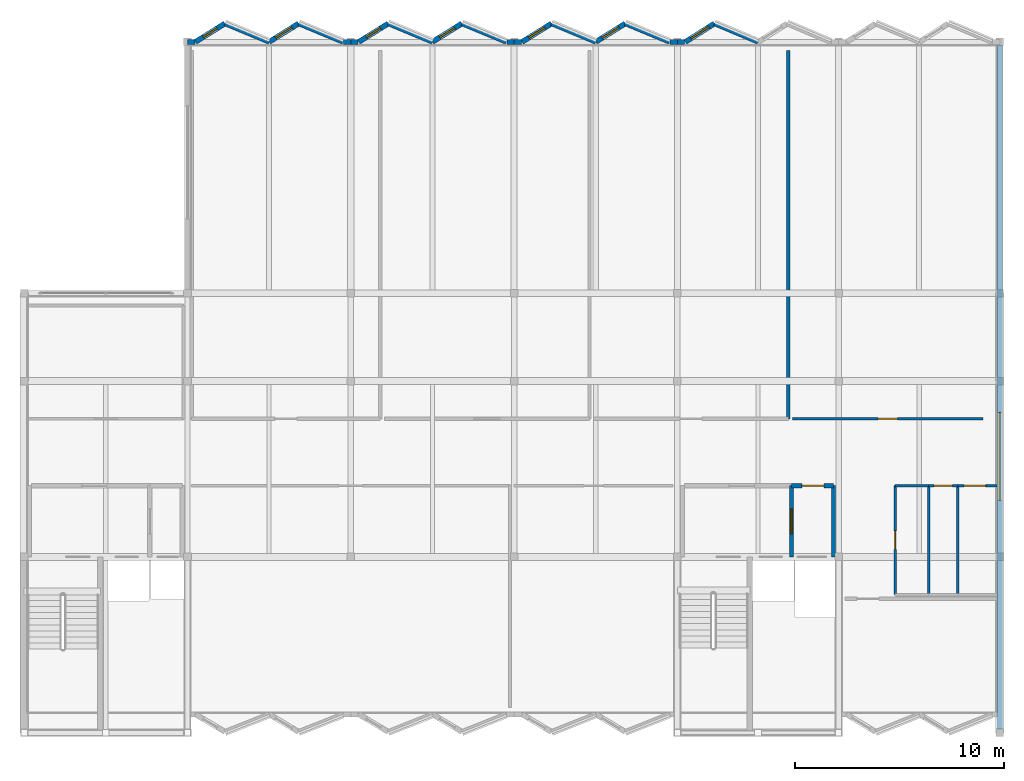
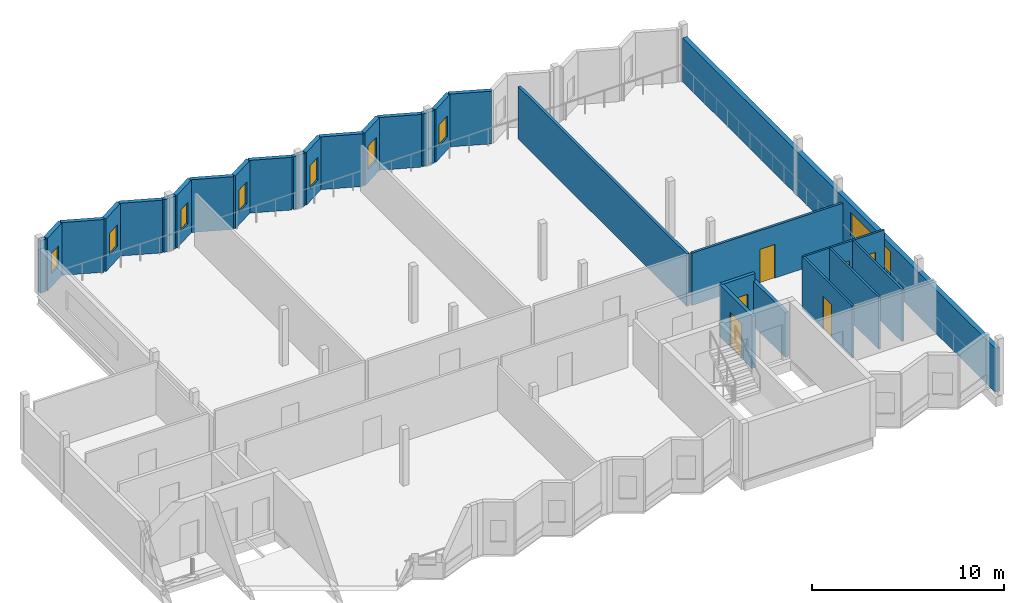
# One storey, part 6 of 11: 33 walls, 8 windows, 6 doors, 14 openings.
"""IFC4 building model written with IfcOpenShell, lengths in metres."""

from ifc_helpers import new_model, si_unit, direction, frame, frame_2d, origin, place, context, subcontext, project, spatial, rectangle, extrude, material, layer, layer_set, type_object, element, fill, save


model = new_model("IFC4")

# Units and contexts
model_context = context("Model", 3, precision=1e-05, world=origin(), true_north=direction((0.0, 1.0)))
body_context = subcontext(model_context, "Body", "Model", "MODEL_VIEW")
ifc_project = project(units=[si_unit("LENGTHUNIT", "METRE"), si_unit("AREAUNIT", "SQUARE_METRE"), si_unit("VOLUMEUNIT", "CUBIC_METRE"), si_unit("PLANEANGLEUNIT", "RADIAN"), si_unit("MASSUNIT", "GRAM", prefix="KILO")], contexts=[model_context])

# Site, building, storey
site_placement = place(None, origin())
site = spatial("IfcSite", under=ifc_project, at=site_placement, CompositionType="ELEMENT")
building_placement = place(site_placement, origin())
building = spatial("IfcBuilding", under=site, at=building_placement, Name="Vharandega Faculty of Natural Sciences", CompositionType="ELEMENT")
storey_placement = place(building_placement, frame((0.0, 0.0, 39.60009765625)))
storey = spatial("IfcBuildingStorey", under=building, at=storey_placement, Name="L10", CompositionType="ELEMENT", Elevation=39.60009765625)

# Wall, opening, door
ifc_material_1 = material(Name="Concrete C40/50", Category="concrete")
ifc_layer_1 = layer(ifc_material_1, 0.199951171875, Name="Concrete C40/50")
ifc_layer_set_1 = layer_set([ifc_layer_1], Name="Concrete C40/50")
wall_type_1 = type_object("IfcWallType", Name="Firefighting Lobby Wall 200", PredefinedType="PARTITIONING", material=ifc_layer_set_1)
wall_1_placement = place(storey_placement, frame((151.449951171875, 72.39990234375, 0.0), z_axis=(0.0, 0.0, 1.0), x_axis=(0.0, 1.0, 0.0)))
wall_1 = element("IfcWall", 1, at=wall_1_placement, inside=storey, type_object=wall_type_1, Name="Interior Wall PW-FFL-C2-L10-E", PredefinedType="PARTITIONING", context=body_context, shape_type="SweptSolid", body=[
    extrude(rectangle(XDim=3.400146484375, YDim=0.199951171875, at=frame_2d((1.7001953125, 0.0))), origin(), (0.0, 0.0, 1.0), 3.31982421875),
])
opening_1_placement = place(wall_1_placement, frame((1.10009765625, 0.0, 0.0)))
opening_1 = element("IfcOpeningElement", 2, at=opening_1_placement, cuts=wall_1, Name="Opening FD2", PredefinedType="OPENING", context=body_context, shape_type="SweptSolid", body=[
    extrude(rectangle(XDim=1.199951171875, YDim=2.199951171875, at=frame_2d((0.60009765625, 1.10009765625))), frame((0.0, 0.10986328125, 0.0), z_axis=(0.0, -1.0, 0.0), x_axis=(1.0, 0.0, 0.0)), (0.0, 0.0, 1.0), 0.219970703125),
])
ifc_material_2 = material(Name="Solid-core hardwood timber fire door", Category="wood")
door_type_1 = type_object("IfcDoorType", Name="FD2-FFLOBBY-1200x2200", OperationType="NOTDEFINED", PredefinedType="DOOR", material=ifc_material_2)
door_1_placement = place(opening_1_placement, origin())
door_1 = element("IfcDoor", 3, at=door_1_placement, inside=storey, type_object=door_type_1, Name="Lobby Interconnect C2 Door FD2", OperationType="SINGLE_SWING_LEFT", OverallHeight=2.199951171875, OverallWidth=1.199951171875, PredefinedType="DOOR", context=body_context, shape_type="SweptSolid", body=[
    extrude(rectangle(XDim=1.199951171875, YDim=2.199951171875, at=frame_2d((0.60009765625, 1.10009765625))), frame((0.0, 0.02490234375, 0.0), z_axis=(0.0, -1.0, 0.0), x_axis=(1.0, 0.0, 0.0)), (0.0, 0.0, 1.0), 0.050048828125),
])
fill(opening_1, door_1)

wall_2_placement = place(storey_placement, frame((151.449951171875, 75.800048828125, 0.0), z_axis=(0.0, 0.0, 1.0), x_axis=(1.0, 0.0, 0.0)))
wall_2 = element("IfcWall", 4, at=wall_2_placement, inside=storey, type_object=wall_type_1, Name="Interior Wall PW-LL-C2-L10-N", PredefinedType="PARTITIONING", context=body_context, shape_type="SweptSolid", body=[
    extrude(rectangle(XDim=2.0, YDim=0.199951171875, at=frame_2d((1.0, 0.0))), origin(), (0.0, 0.0, 1.0), 3.31982421875),
])
opening_2_placement = place(wall_2_placement, frame((0.5, 0.0, 0.0)))
opening_2 = element("IfcOpeningElement", 5, at=opening_2_placement, cuts=wall_2, Name="Opening FD4", PredefinedType="OPENING", context=body_context, shape_type="SweptSolid", body=[
    extrude(rectangle(XDim=1.050048828125, YDim=2.14990234375, at=frame_2d((0.52490234375, 1.074951171875))), frame((0.0, 0.10986328125, 0.0), z_axis=(0.0, -1.0, 0.0), x_axis=(1.0, 0.0, 0.0)), (0.0, 0.0, 1.0), 0.219970703125),
])
ifc_material_3 = material(Name="Solid-core hardwood timber fire door", Category="wood")
door_type_2 = type_object("IfcDoorType", Name="FD4-LAB-SGL-1050x2150", OperationType="NOTDEFINED", PredefinedType="DOOR", material=ifc_material_3)
door_2_placement = place(opening_2_placement, origin())
door_2 = element("IfcDoor", 6, at=door_2_placement, inside=storey, type_object=door_type_2, Name="Lift Lobby C2 Door FD4", OperationType="SINGLE_SWING_RIGHT", OverallHeight=2.14990234375, OverallWidth=1.050048828125, PredefinedType="DOOR", context=body_context, shape_type="SweptSolid", body=[
    extrude(rectangle(XDim=1.050048828125, YDim=2.14990234375, at=frame_2d((0.52490234375, 1.074951171875))), frame((0.0, 0.02490234375, 0.0), z_axis=(0.0, -1.0, 0.0), x_axis=(1.0, 0.0, 0.0)), (0.0, 0.0, 1.0), 0.050048828125),
])
fill(opening_2, door_2)

# Walls
wall_3_placement = place(storey_placement, frame((153.449951171875, 72.39990234375, 0.0), z_axis=(0.0, 0.0, 1.0), x_axis=(0.0, 1.0, 0.0)))
element("IfcWall", 7, at=wall_3_placement, inside=storey, type_object=wall_type_1, Name="Interior Wall PW-LL-C2-L10-E", PredefinedType="PARTITIONING", context=body_context, shape_type="SweptSolid", body=[
    extrude(rectangle(XDim=3.400146484375, YDim=0.199951171875, at=frame_2d((1.7001953125, 0.0))), origin(), (0.0, 0.0, 1.0), 2.869873046875),
])
ifc_material_4 = material(Name="Gypsum fire-board on steel stud", Category="steel")
ifc_layer_2 = layer(ifc_material_4, 0.159912109375, Name="Gypsum fire-board on steel stud")
ifc_layer_set_2 = layer_set([ifc_layer_2], Name="Gypsum fire-board on steel stud")
wall_type_2 = type_object("IfcWallType", Name="Laboratory Fire Corridor Wall 160", PredefinedType="PARTITIONING", material=ifc_layer_set_2)
wall_4_placement = place(storey_placement, frame((151.300048828125, 79.0, 0.0), z_axis=(0.0, 0.0, 1.0), x_axis=(0.0, 1.0, 0.0)))
element("IfcWall", 8, at=wall_4_placement, inside=storey, type_object=wall_type_2, Name="Interior Wall PW-L10-R10E", PredefinedType="PARTITIONING", context=body_context, shape_type="SweptSolid", body=[
    extrude(rectangle(XDim=17.60009765625, YDim=0.159912109375, at=frame_2d((8.800048828125, 0.0))), origin(), (0.0, 0.0, 1.0), 3.33984375),
])

# Wall, opening, door
ifc_material_5 = material(Name="Gypsum acoustic partition", Category="gypsum")
ifc_layer_3 = layer(ifc_material_5, 0.139892578125, Name="Gypsum acoustic partition")
ifc_layer_set_3 = layer_set([ifc_layer_3], Name="Gypsum acoustic partition")
wall_type_3 = type_object("IfcWallType", Name="Room Partition Wall 140", PredefinedType="PARTITIONING", material=ifc_layer_set_3)
wall_5_placement = place(storey_placement, frame((151.5, 79.0, 0.0), z_axis=(0.0, 0.0, 1.0), x_axis=(1.0, 0.0, 0.0)))
wall_5 = element("IfcWall", 9, at=wall_5_placement, inside=storey, type_object=wall_type_3, Name="Interior Wall PW-L10-R11S", PredefinedType="PARTITIONING", context=body_context, shape_type="SweptSolid", body=[
    extrude(rectangle(XDim=9.10009765625, YDim=0.139892578125, at=frame_2d((4.550048828125, 0.0))), origin(), (0.0, 0.0, 1.0), 3.33984375),
])
opening_3_placement = place(wall_5_placement, frame((4.090087890625, 0.0, 0.0)))
opening_3 = element("IfcOpeningElement", 10, at=opening_3_placement, cuts=wall_5, Name="Opening D0382", PredefinedType="OPENING", context=body_context, shape_type="SweptSolid", body=[
    extrude(rectangle(XDim=0.919921875, YDim=2.14990234375, at=frame_2d((0.4599609375, 1.074951171875))), frame((0.0, 0.080078125, 0.0), z_axis=(0.0, -1.0, 0.0), x_axis=(1.0, 0.0, 0.0)), (0.0, 0.0, 1.0), 0.159912109375),
])
ifc_material_6 = material(Name="Solid-core hardwood timber fire door", Category="wood")
door_type_3 = type_object("IfcDoorType", Name="ID05-OFFICE-0920x2150", OperationType="NOTDEFINED", PredefinedType="DOOR", material=ifc_material_6)
door_3_placement = place(opening_3_placement, origin())
door_3 = element("IfcDoor", 11, at=door_3_placement, inside=storey, type_object=door_type_3, Name="Academic Staff Office Suite 10A Door D0382", OperationType="SINGLE_SWING_LEFT", OverallHeight=2.14990234375, OverallWidth=0.919921875, PredefinedType="DOOR", context=body_context, shape_type="SweptSolid", body=[
    extrude(rectangle(XDim=0.919921875, YDim=2.14990234375, at=frame_2d((0.4599609375, 1.074951171875))), frame((0.0, 0.02490234375, 0.0), z_axis=(0.0, -1.0, 0.0), x_axis=(1.0, 0.0, 0.0)), (0.0, 0.0, 1.0), 0.050048828125),
])
fill(opening_3, door_3)

# Wall
ifc_material_7 = material(Name="Moisture-resistant gypsum partition", Category="gypsum")
ifc_layer_4 = layer(ifc_material_7, 0.1201171875, Name="Moisture-resistant gypsum partition")
ifc_layer_set_4 = layer_set([ifc_layer_4], Name="Moisture-resistant gypsum partition")
wall_type_4 = type_object("IfcWallType", Name="Sanitary Wet Wall 120", PredefinedType="PARTITIONING", material=ifc_layer_set_4)
wall_6_placement = place(storey_placement, frame((156.39990234375, 75.800048828125, 0.0), z_axis=(0.0, 0.0, 1.0), x_axis=(1.0, 0.0, 0.0)))
element("IfcWall", 12, at=wall_6_placement, inside=storey, type_object=wall_type_4, Name="Interior Wall PW-L10-R04N", PredefinedType="PARTITIONING", context=body_context, shape_type="SweptSolid", body=[
    extrude(rectangle(XDim=1.60009765625, YDim=0.1201171875, at=frame_2d((0.800048828125, 0.0))), origin(), (0.0, 0.0, 1.0), 3.33984375),
])

# Wall, opening, door
wall_7_placement = place(storey_placement, frame((156.39990234375, 70.60009765625, 0.0), z_axis=(0.0, 0.0, 1.0), x_axis=(0.0, 1.0, 0.0)))
wall_7 = element("IfcWall", 13, at=wall_7_placement, inside=storey, type_object=wall_type_4, Name="Interior Wall PW-L10-R04W", PredefinedType="PARTITIONING", context=body_context, shape_type="SweptSolid", body=[
    extrude(rectangle(XDim=5.199951171875, YDim=0.1201171875, at=frame_2d((2.60009765625, 0.0))), origin(), (0.0, 0.0, 1.0), 3.33984375),
])
opening_4_placement = place(wall_7_placement, frame((2.159912109375, 0.0, 0.0)))
opening_4 = element("IfcOpeningElement", 14, at=opening_4_placement, cuts=wall_7, Name="Opening D0375", PredefinedType="OPENING", context=body_context, shape_type="SweptSolid", body=[
    extrude(rectangle(XDim=0.8798828125, YDim=2.10009765625, at=frame_2d((0.43994140625, 1.050048828125))), frame((0.0, 0.070068359375, 0.0), z_axis=(0.0, -1.0, 0.0), x_axis=(1.0, 0.0, 0.0)), (0.0, 0.0, 1.0), 0.14013671875),
])
ifc_material_8 = material(Name="Solid-core hardwood timber fire door", Category="wood")
door_type_4 = type_object("IfcDoorType", Name="ID06-WC-0880x2100", OperationType="NOTDEFINED", PredefinedType="DOOR", material=ifc_material_8)
door_4_placement = place(opening_4_placement, origin())
door_4 = element("IfcDoor", 15, at=door_4_placement, inside=storey, type_object=door_type_4, Name="L10 Male Washroom Door D0375", OperationType="SINGLE_SWING_RIGHT", OverallHeight=2.10009765625, OverallWidth=0.8798828125, PredefinedType="DOOR", context=body_context, shape_type="SweptSolid", body=[
    extrude(rectangle(XDim=0.8798828125, YDim=2.10009765625, at=frame_2d((0.43994140625, 1.050048828125))), frame((0.0, 0.02490234375, 0.0), z_axis=(0.0, -1.0, 0.0), x_axis=(1.0, 0.0, 0.0)), (0.0, 0.0, 1.0), 0.050048828125),
])
fill(opening_4, door_4)

# Wall
wall_8_placement = place(storey_placement, frame((158.0, 70.60009765625, 0.0), z_axis=(0.0, 0.0, 1.0), x_axis=(0.0, 1.0, 0.0)))
element("IfcWall", 16, at=wall_8_placement, inside=storey, type_object=wall_type_4, Name="Interior Wall PW-L10-R04E", PredefinedType="PARTITIONING", context=body_context, shape_type="SweptSolid", body=[
    extrude(rectangle(XDim=5.199951171875, YDim=0.1201171875, at=frame_2d((2.60009765625, 0.0))), origin(), (0.0, 0.0, 1.0), 3.33984375),
])

# Wall, opening, door
wall_9_placement = place(storey_placement, frame((158.0, 75.800048828125, 0.0), z_axis=(0.0, 0.0, 1.0), x_axis=(1.0, 0.0, 0.0)))
wall_9 = element("IfcWall", 17, at=wall_9_placement, inside=storey, type_object=wall_type_4, Name="Interior Wall PW-L10-R05N", PredefinedType="PARTITIONING", context=body_context, shape_type="SweptSolid", body=[
    extrude(rectangle(XDim=1.39990234375, YDim=0.1201171875, at=frame_2d((0.699951171875, 0.0))), origin(), (0.0, 0.0, 1.0), 3.33984375),
])
opening_5_placement = place(wall_9_placement, frame((0.260009765625, 0.0, 0.0)))
opening_5 = element("IfcOpeningElement", 18, at=opening_5_placement, cuts=wall_9, Name="Opening D0376", PredefinedType="OPENING", context=body_context, shape_type="SweptSolid", body=[
    extrude(rectangle(XDim=0.8798828125, YDim=2.10009765625, at=frame_2d((0.43994140625, 1.050048828125))), frame((0.0, 0.070068359375, 0.0), z_axis=(0.0, -1.0, 0.0), x_axis=(1.0, 0.0, 0.0)), (0.0, 0.0, 1.0), 0.14013671875),
])
door_5_placement = place(opening_5_placement, origin())
door_5 = element("IfcDoor", 19, at=door_5_placement, inside=storey, type_object=door_type_4, Name="L10 Female Washroom Door D0376", OperationType="SINGLE_SWING_LEFT", OverallHeight=2.10009765625, OverallWidth=0.8798828125, PredefinedType="DOOR", context=body_context, shape_type="SweptSolid", body=[
    extrude(rectangle(XDim=0.8798828125, YDim=2.10009765625, at=frame_2d((0.43994140625, 1.050048828125))), frame((0.0, 0.02490234375, 0.0), z_axis=(0.0, -1.0, 0.0), x_axis=(1.0, 0.0, 0.0)), (0.0, 0.0, 1.0), 0.050048828125),
])
fill(opening_5, door_5)

# Wall
wall_10_placement = place(storey_placement, frame((159.39990234375, 70.60009765625, 0.0), z_axis=(0.0, 0.0, 1.0), x_axis=(0.0, 1.0, 0.0)))
element("IfcWall", 20, at=wall_10_placement, inside=storey, type_object=wall_type_4, Name="Interior Wall PW-L10-R05E", PredefinedType="PARTITIONING", context=body_context, shape_type="SweptSolid", body=[
    extrude(rectangle(XDim=5.199951171875, YDim=0.1201171875, at=frame_2d((2.60009765625, 0.0))), origin(), (0.0, 0.0, 1.0), 3.33984375),
])

# Wall, opening, door
wall_11_placement = place(storey_placement, frame((159.39990234375, 75.800048828125, 0.0), z_axis=(0.0, 0.0, 1.0), x_axis=(1.0, 0.0, 0.0)))
wall_11 = element("IfcWall", 21, at=wall_11_placement, inside=storey, type_object=wall_type_4, Name="Interior Wall PW-L10-R06N", PredefinedType="PARTITIONING", context=body_context, shape_type="SweptSolid", body=[
    extrude(rectangle(XDim=1.860107421875, YDim=0.1201171875, at=frame_2d((0.93017578125, 0.0))), origin(), (0.0, 0.0, 1.0), 3.33984375),
])
opening_6_placement = place(wall_11_placement, frame((0.300048828125, 0.0, 0.0)))
opening_6 = element("IfcOpeningElement", 22, at=opening_6_placement, cuts=wall_11, Name="Opening D0377", PredefinedType="OPENING", context=body_context, shape_type="SweptSolid", body=[
    extrude(rectangle(XDim=1.02001953125, YDim=2.10009765625, at=frame_2d((0.510009765625, 1.050048828125))), frame((0.0, 0.070068359375, 0.0), z_axis=(0.0, -1.0, 0.0), x_axis=(1.0, 0.0, 0.0)), (0.0, 0.0, 1.0), 0.14013671875),
])
ifc_material_9 = material(Name="Solid-core hardwood timber fire door", Category="wood")
door_type_5 = type_object("IfcDoorType", Name="ID07-ACCWC-1020x2100", OperationType="NOTDEFINED", PredefinedType="DOOR", material=ifc_material_9)
door_6_placement = place(opening_6_placement, origin())
door_6 = element("IfcDoor", 23, at=door_6_placement, inside=storey, type_object=door_type_5, Name="L10 Accessible WC Door D0377", OperationType="SINGLE_SWING_RIGHT", OverallHeight=2.10009765625, OverallWidth=1.02001953125, PredefinedType="DOOR", context=body_context, shape_type="SweptSolid", body=[
    extrude(rectangle(XDim=1.02001953125, YDim=2.10009765625, at=frame_2d((0.510009765625, 1.050048828125))), frame((0.0, 0.02490234375, 0.0), z_axis=(0.0, -1.0, 0.0), x_axis=(1.0, 0.0, 0.0)), (0.0, 0.0, 1.0), 0.050048828125),
])
fill(opening_6, door_6)

# Wall, opening, window
ifc_material_10 = material(Name="Precast concrete C40/50", Category="concrete")
ifc_layer_5 = layer(ifc_material_10, 0.25, Name="Precast concrete C40/50")
ifc_layer_set_5 = layer_set([ifc_layer_5], Name="Precast concrete C40/50")
wall_type_5 = type_object("IfcWallType", Name="Sawtooth Glazed-Face Precast Wall 250", PredefinedType="SOLIDWALL", material=ifc_layer_set_5)
wall_12_placement = place(storey_placement, frame((122.97998046875, 97.0, 0.0), z_axis=(0.0, 0.0, 1.0), x_axis=(0.848023086369, 0.529959286158, 0.0)))
wall_12 = element("IfcWall", 24, at=wall_12_placement, inside=storey, type_object=wall_type_5, Name="Exterior Wall EW-SAW-L10-N01G", PredefinedType="SOLIDWALL", context=body_context, shape_type="SweptSolid", body=[
    extrude(rectangle(XDim=1.660400390625, YDim=0.25, at=frame_2d((0.830078125, 0.0))), origin(), (0.0, 0.0, 1.0), 3.35986328125),
])
opening_7_placement = place(wall_12_placement, frame((0.440185546875, 0.0, 0.820068359375)))
opening_7 = element("IfcOpeningElement", 25, at=opening_7_placement, cuts=wall_12, Name="Opening WN-06A", PredefinedType="OPENING", context=body_context, shape_type="SweptSolid", body=[
    extrude(rectangle(XDim=0.780029296875, YDim=1.300048828125, at=frame_2d((0.39013671875, 0.64990234375))), frame((0.0, 0.135009765625, 0.0), z_axis=(0.0, -1.0, 0.0), x_axis=(1.0, 0.0, 0.0)), (0.0, 0.0, 1.0), 0.27001953125),
])
ifc_material_11 = material(Name="Double-glazed solar-control glass in thermally broken aluminium frame", Category="aluminium")
window_type_1 = type_object("IfcWindowType", Name="WIN-SAW-078x130", PartitioningType="SINGLE_PANEL", PredefinedType="WINDOW", material=ifc_material_11)
window_1_placement = place(opening_7_placement, origin())
window_1 = element("IfcWindow", 26, at=window_1_placement, inside=storey, type_object=window_type_1, Name="Window WIN-L10-0109", OverallHeight=1.300048828125, OverallWidth=0.780029296875, PartitioningType="SINGLE_PANEL", PredefinedType="WINDOW", context=body_context, shape_type="SweptSolid", body=[
    extrude(rectangle(XDim=0.780029296875, YDim=1.300048828125, at=frame_2d((0.39013671875, 0.64990234375))), frame((0.0, 0.030029296875, 0.0), z_axis=(0.0, -1.0, 0.0), x_axis=(1.0, 0.0, 0.0)), (0.0, 0.0, 1.0), 0.06005859375),
])
fill(opening_7, window_1)

wall_13_placement = place(storey_placement, frame((126.5, 97.0, 0.0), z_axis=(0.0, 0.0, 1.0), x_axis=(0.848023086369, 0.529959286158, 0.0)))
wall_13 = element("IfcWall", 27, at=wall_13_placement, inside=storey, type_object=wall_type_5, Name="Exterior Wall EW-SAW-L10-N02G", PredefinedType="SOLIDWALL", context=body_context, shape_type="SweptSolid", body=[
    extrude(rectangle(XDim=1.660400390625, YDim=0.25, at=frame_2d((0.830078125, 0.0))), origin(), (0.0, 0.0, 1.0), 3.35986328125),
])
opening_8_placement = place(wall_13_placement, frame((0.3701171875, 0.0, 0.820068359375)))
opening_8 = element("IfcOpeningElement", 28, at=opening_8_placement, cuts=wall_13, Name="Opening WN-06B", PredefinedType="OPENING", context=body_context, shape_type="SweptSolid", body=[
    extrude(rectangle(XDim=0.919921875, YDim=1.3798828125, at=frame_2d((0.4599609375, 0.68994140625))), frame((0.0, 0.135009765625, 0.0), z_axis=(0.0, -1.0, 0.0), x_axis=(1.0, 0.0, 0.0)), (0.0, 0.0, 1.0), 0.27001953125),
])
ifc_material_12 = material(Name="Double-glazed solar-control glass in thermally broken aluminium frame", Category="aluminium")
window_type_2 = type_object("IfcWindowType", Name="WIN-SAW-092x138", PartitioningType="SINGLE_PANEL", PredefinedType="WINDOW", material=ifc_material_12)
window_2_placement = place(opening_8_placement, origin())
window_2 = element("IfcWindow", 29, at=window_2_placement, inside=storey, type_object=window_type_2, Name="Window WIN-L10-0110", OverallHeight=1.3798828125, OverallWidth=0.919921875, PartitioningType="SINGLE_PANEL", PredefinedType="WINDOW", context=body_context, shape_type="SweptSolid", body=[
    extrude(rectangle(XDim=0.919921875, YDim=1.3798828125, at=frame_2d((0.4599609375, 0.68994140625))), frame((0.0, 0.030029296875, 0.0), z_axis=(0.0, -1.0, 0.0), x_axis=(1.0, 0.0, 0.0)), (0.0, 0.0, 1.0), 0.06005859375),
])
fill(opening_8, window_2)

wall_14_placement = place(storey_placement, frame((130.780029296875, 97.0, 0.0), z_axis=(0.0, 0.0, 1.0), x_axis=(0.848023086369, 0.529959286158, 0.0)))
wall_14 = element("IfcWall", 30, at=wall_14_placement, inside=storey, type_object=wall_type_5, Name="Exterior Wall EW-SAW-L10-N03G", PredefinedType="SOLIDWALL", context=body_context, shape_type="SweptSolid", body=[
    extrude(rectangle(XDim=1.660400390625, YDim=0.25, at=frame_2d((0.830078125, 0.0))), origin(), (0.0, 0.0, 1.0), 3.35986328125),
])
opening_9_placement = place(wall_14_placement, frame((0.43017578125, 0.0, 0.820068359375)))
opening_9 = element("IfcOpeningElement", 31, at=opening_9_placement, cuts=wall_14, Name="Opening WN-01", PredefinedType="OPENING", context=body_context, shape_type="SweptSolid", body=[
    extrude(rectangle(XDim=0.800048828125, YDim=1.35009765625, at=frame_2d((0.39990234375, 0.675048828125))), frame((0.0, 0.135009765625, 0.0), z_axis=(0.0, -1.0, 0.0), x_axis=(1.0, 0.0, 0.0)), (0.0, 0.0, 1.0), 0.27001953125),
])
ifc_material_13 = material(Name="Double-glazed solar-control glass in thermally broken aluminium frame", Category="aluminium")
window_type_3 = type_object("IfcWindowType", Name="WIN-SAW-080x135", PartitioningType="SINGLE_PANEL", PredefinedType="WINDOW", material=ifc_material_13)
window_3_placement = place(opening_9_placement, origin())
window_3 = element("IfcWindow", 32, at=window_3_placement, inside=storey, type_object=window_type_3, Name="Window WIN-L10-0111", OverallHeight=1.35009765625, OverallWidth=0.800048828125, PartitioningType="SINGLE_PANEL", PredefinedType="WINDOW", context=body_context, shape_type="SweptSolid", body=[
    extrude(rectangle(XDim=0.800048828125, YDim=1.35009765625, at=frame_2d((0.39990234375, 0.675048828125))), frame((0.0, 0.030029296875, 0.0), z_axis=(0.0, -1.0, 0.0), x_axis=(1.0, 0.0, 0.0)), (0.0, 0.0, 1.0), 0.06005859375),
])
fill(opening_9, window_3)

wall_15_placement = place(storey_placement, frame((134.300048828125, 97.0, 0.0), z_axis=(0.0, 0.0, 1.0), x_axis=(0.848023086369, 0.529959286158, 0.0)))
wall_15 = element("IfcWall", 33, at=wall_15_placement, inside=storey, type_object=wall_type_5, Name="Exterior Wall EW-SAW-L10-N04G", PredefinedType="SOLIDWALL", context=body_context, shape_type="SweptSolid", body=[
    extrude(rectangle(XDim=1.660400390625, YDim=0.25, at=frame_2d((0.830078125, 0.0))), origin(), (0.0, 0.0, 1.0), 3.35986328125),
])
opening_10_placement = place(wall_15_placement, frame((0.4052734375, 0.0, 0.820068359375)))
opening_10 = element("IfcOpeningElement", 34, at=opening_10_placement, cuts=wall_15, Name="Opening WN-02", PredefinedType="OPENING", context=body_context, shape_type="SweptSolid", body=[
    extrude(rectangle(XDim=0.85009765625, YDim=1.39990234375, at=frame_2d((0.425048828125, 0.699951171875))), frame((0.0, 0.135009765625, 0.0), z_axis=(0.0, -1.0, 0.0), x_axis=(1.0, 0.0, 0.0)), (0.0, 0.0, 1.0), 0.27001953125),
])
ifc_material_14 = material(Name="Double-glazed solar-control glass in thermally broken aluminium frame", Category="aluminium")
window_type_4 = type_object("IfcWindowType", Name="WIN-SAW-085x140", PartitioningType="SINGLE_PANEL", PredefinedType="WINDOW", material=ifc_material_14)
window_4_placement = place(opening_10_placement, origin())
window_4 = element("IfcWindow", 35, at=window_4_placement, inside=storey, type_object=window_type_4, Name="Window WIN-L10-0112", OverallHeight=1.39990234375, OverallWidth=0.85009765625, PartitioningType="SINGLE_PANEL", PredefinedType="WINDOW", context=body_context, shape_type="SweptSolid", body=[
    extrude(rectangle(XDim=0.85009765625, YDim=1.39990234375, at=frame_2d((0.425048828125, 0.699951171875))), frame((0.0, 0.030029296875, 0.0), z_axis=(0.0, -1.0, 0.0), x_axis=(1.0, 0.0, 0.0)), (0.0, 0.0, 1.0), 0.06005859375),
])
fill(opening_10, window_4)

wall_16_placement = place(storey_placement, frame((138.580078125, 97.0, 0.0), z_axis=(0.0, 0.0, 1.0), x_axis=(0.848023086369, 0.529959286158, 0.0)))
wall_16 = element("IfcWall", 36, at=wall_16_placement, inside=storey, type_object=wall_type_5, Name="Exterior Wall EW-SAW-L10-N05G", PredefinedType="SOLIDWALL", context=body_context, shape_type="SweptSolid", body=[
    extrude(rectangle(XDim=1.660400390625, YDim=0.25, at=frame_2d((0.830078125, 0.0))), origin(), (0.0, 0.0, 1.0), 3.35986328125),
])
opening_11_placement = place(wall_16_placement, frame((0.380126953125, 0.0, 0.820068359375)))
opening_11 = element("IfcOpeningElement", 37, at=opening_11_placement, cuts=wall_16, Name="Opening WN-03", PredefinedType="OPENING", context=body_context, shape_type="SweptSolid", body=[
    extrude(rectangle(XDim=0.89990234375, YDim=1.449951171875, at=frame_2d((0.449951171875, 0.72509765625))), frame((0.0, 0.135009765625, 0.0), z_axis=(0.0, -1.0, 0.0), x_axis=(1.0, 0.0, 0.0)), (0.0, 0.0, 1.0), 0.27001953125),
])
ifc_material_15 = material(Name="Double-glazed solar-control glass in thermally broken aluminium frame", Category="aluminium")
window_type_5 = type_object("IfcWindowType", Name="WIN-SAW-090x145", PartitioningType="SINGLE_PANEL", PredefinedType="WINDOW", material=ifc_material_15)
window_5_placement = place(opening_11_placement, origin())
window_5 = element("IfcWindow", 38, at=window_5_placement, inside=storey, type_object=window_type_5, Name="Window WIN-L10-0113", OverallHeight=1.449951171875, OverallWidth=0.89990234375, PartitioningType="SINGLE_PANEL", PredefinedType="WINDOW", context=body_context, shape_type="SweptSolid", body=[
    extrude(rectangle(XDim=0.89990234375, YDim=1.449951171875, at=frame_2d((0.449951171875, 0.72509765625))), frame((0.0, 0.030029296875, 0.0), z_axis=(0.0, -1.0, 0.0), x_axis=(1.0, 0.0, 0.0)), (0.0, 0.0, 1.0), 0.06005859375),
])
fill(opening_11, window_5)

wall_17_placement = place(storey_placement, frame((142.10009765625, 97.0, 0.0), z_axis=(0.0, 0.0, 1.0), x_axis=(0.848023086369, 0.529959286158, 0.0)))
wall_17 = element("IfcWall", 39, at=wall_17_placement, inside=storey, type_object=wall_type_5, Name="Exterior Wall EW-SAW-L10-N06G", PredefinedType="SOLIDWALL", context=body_context, shape_type="SweptSolid", body=[
    extrude(rectangle(XDim=1.660400390625, YDim=0.25, at=frame_2d((0.830078125, 0.0))), origin(), (0.0, 0.0, 1.0), 3.35986328125),
])
opening_12_placement = place(wall_17_placement, frame((0.355224609375, 0.0, 0.820068359375)))
opening_12 = element("IfcOpeningElement", 40, at=opening_12_placement, cuts=wall_17, Name="Opening WN-04", PredefinedType="OPENING", context=body_context, shape_type="SweptSolid", body=[
    extrude(rectangle(XDim=0.949951171875, YDim=1.5, at=frame_2d((0.47509765625, 0.75))), frame((0.0, 0.135009765625, 0.0), z_axis=(0.0, -1.0, 0.0), x_axis=(1.0, 0.0, 0.0)), (0.0, 0.0, 1.0), 0.27001953125),
])
ifc_material_16 = material(Name="Double-glazed solar-control glass in thermally broken aluminium frame", Category="aluminium")
window_type_6 = type_object("IfcWindowType", Name="WIN-SAW-095x150", PartitioningType="SINGLE_PANEL", PredefinedType="WINDOW", material=ifc_material_16)
window_6_placement = place(opening_12_placement, origin())
window_6 = element("IfcWindow", 41, at=window_6_placement, inside=storey, type_object=window_type_6, Name="Window WIN-L10-0114", OverallHeight=1.5, OverallWidth=0.949951171875, PartitioningType="SINGLE_PANEL", PredefinedType="WINDOW", context=body_context, shape_type="SweptSolid", body=[
    extrude(rectangle(XDim=0.949951171875, YDim=1.5, at=frame_2d((0.47509765625, 0.75))), frame((0.0, 0.030029296875, 0.0), z_axis=(0.0, -1.0, 0.0), x_axis=(1.0, 0.0, 0.0)), (0.0, 0.0, 1.0), 0.06005859375),
])
fill(opening_12, window_6)

wall_18_placement = place(storey_placement, frame((146.3798828125, 97.0, 0.0), z_axis=(0.0, 0.0, 1.0), x_axis=(0.844626536799, 0.535355968805, 0.0)))
wall_18 = element("IfcWall", 42, at=wall_18_placement, inside=storey, type_object=wall_type_5, Name="Exterior Wall EW-SAW-L10-N07G", PredefinedType="SOLIDWALL", context=body_context, shape_type="SweptSolid", body=[
    extrude(rectangle(XDim=1.6435546875, YDim=0.25, at=frame_2d((0.82177734375, 0.0))), origin(), (0.0, 0.0, 1.0), 3.35986328125),
])
opening_13_placement = place(wall_18_placement, frame((0.32177734375, 0.0, 0.820068359375)))
opening_13 = element("IfcOpeningElement", 43, at=opening_13_placement, cuts=wall_18, Name="Opening WN-05", PredefinedType="OPENING", context=body_context, shape_type="SweptSolid", body=[
    extrude(rectangle(XDim=1.0, YDim=1.35009765625, at=frame_2d((0.5, 0.675048828125))), frame((0.0, 0.135009765625, 0.0), z_axis=(0.0, -1.0, 0.0), x_axis=(1.0, 0.0, 0.0)), (0.0, 0.0, 1.0), 0.27001953125),
])
ifc_material_17 = material(Name="Double-glazed solar-control glass in thermally broken aluminium frame", Category="aluminium")
window_type_7 = type_object("IfcWindowType", Name="WIN-SAW-100x135", PartitioningType="SINGLE_PANEL", PredefinedType="WINDOW", material=ifc_material_17)
window_7_placement = place(opening_13_placement, origin())
window_7 = element("IfcWindow", 44, at=window_7_placement, inside=storey, type_object=window_type_7, Name="Window WIN-L10-0115", OverallHeight=1.35009765625, OverallWidth=1.0, PartitioningType="SINGLE_PANEL", PredefinedType="WINDOW", context=body_context, shape_type="SweptSolid", body=[
    extrude(rectangle(XDim=1.0, YDim=1.35009765625, at=frame_2d((0.5, 0.675048828125))), frame((0.0, 0.030029296875, 0.0), z_axis=(0.0, -1.0, 0.0), x_axis=(1.0, 0.0, 0.0)), (0.0, 0.0, 1.0), 0.06005859375),
])
fill(opening_13, window_7)

# Walls
ifc_material_18 = material(Name="Precast concrete C40/50", Category="concrete")
ifc_layer_6 = layer(ifc_material_18, 0.22998046875, Name="Precast concrete C40/50")
ifc_layer_set_6 = layer_set([ifc_layer_6], Name="Precast concrete C40/50")
wall_type_6 = type_object("IfcWallType", Name="Sawtooth Solid White Precast Wall 230", PredefinedType="SOLIDWALL", material=ifc_layer_set_6)
for number, where, z_axis, x_axis, name in (
    (45, (122.60009765625, 97.0, 0.0), (0.0, 0.0, 1.0), (1.0, 0.0, 0.0), "Exterior Wall EW-SHL-L10-N16L"),
    (46, (130.050048828125, 97.0, 0.0), (0.0, 0.0, 1.0), (1.0, 0.0, 0.0), "Exterior Wall EW-SHL-L10-N17R"),
):
    element("IfcWall", number, at=place(storey_placement, frame(where, z_axis=z_axis, x_axis=x_axis)), inside=storey, type_object=wall_type_6, Name=name, PredefinedType="SOLIDWALL", context=body_context, shape_type="SweptSolid", body=[
        extrude(rectangle(XDim=0.349853515625, YDim=0.22998046875, at=frame_2d((0.1748046875, 0.0))), origin(), (0.0, 0.0, 1.0), 3.35986328125),
    ])
wall_19_placement = place(storey_placement, frame((130.39990234375, 97.0, 0.0), z_axis=(0.0, 0.0, 1.0), x_axis=(1.0, 0.0, 0.0)))
element("IfcWall", 47, at=wall_19_placement, inside=storey, type_object=wall_type_6, Name="Exterior Wall EW-SHL-L10-N17L", PredefinedType="SOLIDWALL", context=body_context, shape_type="SweptSolid", body=[
    extrude(rectangle(XDim=0.35009765625, YDim=0.22998046875, at=frame_2d((0.175048828125, 0.0))), origin(), (0.0, 0.0, 1.0), 3.35986328125),
])
wall_20_placement = place(storey_placement, frame((137.85009765625, 97.0, 0.0), z_axis=(0.0, 0.0, 1.0), x_axis=(1.0, 0.0, 0.0)))
element("IfcWall", 48, at=wall_20_placement, inside=storey, type_object=wall_type_6, Name="Exterior Wall EW-SHL-L10-N18R", PredefinedType="SOLIDWALL", context=body_context, shape_type="SweptSolid", body=[
    extrude(rectangle(XDim=0.349853515625, YDim=0.22998046875, at=frame_2d((0.1748046875, 0.0))), origin(), (0.0, 0.0, 1.0), 3.35986328125),
])
for number, where, z_axis, x_axis, name in (
    (49, (138.199951171875, 97.0, 0.0), (0.0, 0.0, 1.0), (1.0, 0.0, 0.0), "Exterior Wall EW-SHL-L10-N18L"),
    (50, (145.64990234375, 97.0, 0.0), (0.0, 0.0, 1.0), (1.0, 0.0, 0.0), "Exterior Wall EW-SHL-L10-N19R"),
    (51, (146.0, 97.0, 0.0), (0.0, 0.0, 1.0), (1.0, 0.0, 0.0), "Exterior Wall EW-SHL-L10-N19L"),
):
    element("IfcWall", number, at=place(storey_placement, frame(where, z_axis=z_axis, x_axis=x_axis)), inside=storey, type_object=wall_type_6, Name=name, PredefinedType="SOLIDWALL", context=body_context, shape_type="SweptSolid", body=[
        extrude(rectangle(XDim=0.35009765625, YDim=0.22998046875, at=frame_2d((0.175048828125, 0.0))), origin(), (0.0, 0.0, 1.0), 3.35986328125),
    ])
for number, where, z_axis, x_axis, name in (
    (52, (124.387939453125, 97.8798828125, 0.0), (0.0, 0.0, 1.0), (0.92309902008, -0.384562347517, 0.0), "Exterior Wall EW-SAW-L10-N01S"),
    (53, (127.907958984375, 97.8798828125, 0.0), (0.0, 0.0, 1.0), (0.92309902008, -0.384562347517, 0.0), "Exterior Wall EW-SAW-L10-N02S"),
    (54, (132.18798828125, 97.8798828125, 0.0), (0.0, 0.0, 1.0), (0.92309902008, -0.384562347517, 0.0), "Exterior Wall EW-SAW-L10-N03S"),
    (55, (135.7080078125, 97.8798828125, 0.0), (0.0, 0.0, 1.0), (0.92309902008, -0.384562347517, 0.0), "Exterior Wall EW-SAW-L10-N04S"),
    (56, (139.988037109375, 97.8798828125, 0.0), (0.0, 0.0, 1.0), (0.92309902008, -0.384562347517, 0.0), "Exterior Wall EW-SAW-L10-N05S"),
    (57, (143.508056640625, 97.8798828125, 0.0), (0.0, 0.0, 1.0), (0.92309902008, -0.384562347517, 0.0), "Exterior Wall EW-SAW-L10-N06S"),
):
    element("IfcWall", number, at=place(storey_placement, frame(where, z_axis=z_axis, x_axis=x_axis)), inside=storey, type_object=wall_type_6, Name=name, PredefinedType="SOLIDWALL", context=body_context, shape_type="SweptSolid", body=[
        extrude(rectangle(XDim=2.2880859375, YDim=0.22998046875, at=frame_2d((1.14404296875, 0.0))), origin(), (0.0, 0.0, 1.0), 3.35986328125),
    ])
wall_21_placement = place(storey_placement, frame((147.76806640625, 97.8798828125, 0.0), z_axis=(0.0, 0.0, 1.0), x_axis=(0.921122216024, -0.389273506866, 0.0)))
element("IfcWall", 58, at=wall_21_placement, inside=storey, type_object=wall_type_6, Name="Exterior Wall EW-SAW-L10-N07S", PredefinedType="SOLIDWALL", context=body_context, shape_type="SweptSolid", body=[
    extrude(rectangle(XDim=2.26025390625, YDim=0.22998046875, at=frame_2d((1.130126953125, 0.0))), origin(), (0.0, 0.0, 1.0), 3.35986328125),
])

# Wall, opening, window
ifc_material_19 = material(Name="Precast concrete C40/50", Category="concrete")
ifc_layer_7 = layer(ifc_material_19, 0.280029296875, Name="Precast concrete C40/50")
ifc_layer_set_7 = layer_set([ifc_layer_7], Name="Precast concrete C40/50")
wall_type_7 = type_object("IfcWallType", Name="White Precast End Wall 280", PredefinedType="SOLIDWALL", material=ifc_layer_set_7)
wall_22_placement = place(storey_placement, frame((161.39990234375, 96.822021484375, 0.0), z_axis=(0.0, 0.0, 1.0), x_axis=(0.0, -1.0, 0.0)))
wall_22 = element("IfcWall", 59, at=wall_22_placement, inside=storey, type_object=wall_type_7, Name="Exterior Wall EW-L10-V4E", PredefinedType="SOLIDWALL", context=body_context, shape_type="SweptSolid", body=[
    extrude(rectangle(XDim=32.64404296875, YDim=0.280029296875, at=frame_2d((16.322021484375, 0.0))), origin(), (0.0, 0.0, 1.0), 2.789794921875),
])
opening_14_placement = place(wall_22_placement, frame((17.52197265625, 0.0, 0.820068359375)))
opening_14 = element("IfcOpeningElement", 60, at=opening_14_placement, cuts=wall_22, Name="Opening WN-15A", PredefinedType="OPENING", context=body_context, shape_type="SweptSolid", body=[
    extrude(rectangle(XDim=4.199951171875, YDim=1.5, at=frame_2d((2.10009765625, 0.75))), frame((0.0, 0.14990234375, 0.0), z_axis=(0.0, -1.0, 0.0), x_axis=(1.0, 0.0, 0.0)), (0.0, 0.0, 1.0), 0.300048828125),
])
ifc_material_20 = material(Name="Double-glazed solar-control glass in thermally broken aluminium frame", Category="aluminium")
window_type_8 = type_object("IfcWindowType", Name="WIN-MON-420x150", PartitioningType="DOUBLE_PANEL_VERTICAL", PredefinedType="WINDOW", material=ifc_material_20)
window_8_placement = place(opening_14_placement, origin())
window_8 = element("IfcWindow", 61, at=window_8_placement, inside=storey, type_object=window_type_8, Name="Window WIN-L10-0107", OverallHeight=1.5, OverallWidth=4.199951171875, PartitioningType="SINGLE_PANEL", PredefinedType="WINDOW", context=body_context, shape_type="SweptSolid", body=[
    extrude(rectangle(XDim=4.199951171875, YDim=1.5, at=frame_2d((2.10009765625, 0.75))), frame((0.0, 0.030029296875, 0.0), z_axis=(0.0, -1.0, 0.0), x_axis=(1.0, 0.0, 0.0)), (0.0, 0.0, 1.0), 0.06005859375),
])
fill(opening_14, window_8)

save(model, "model.ifc")
